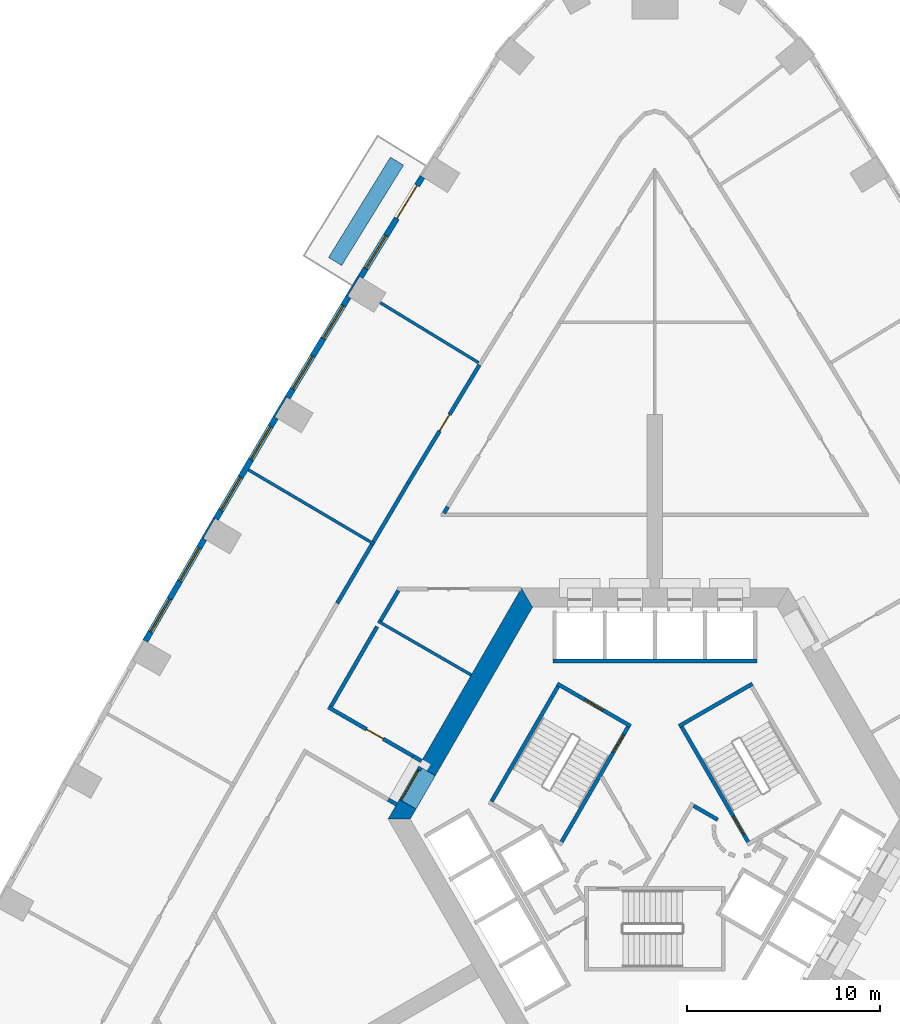
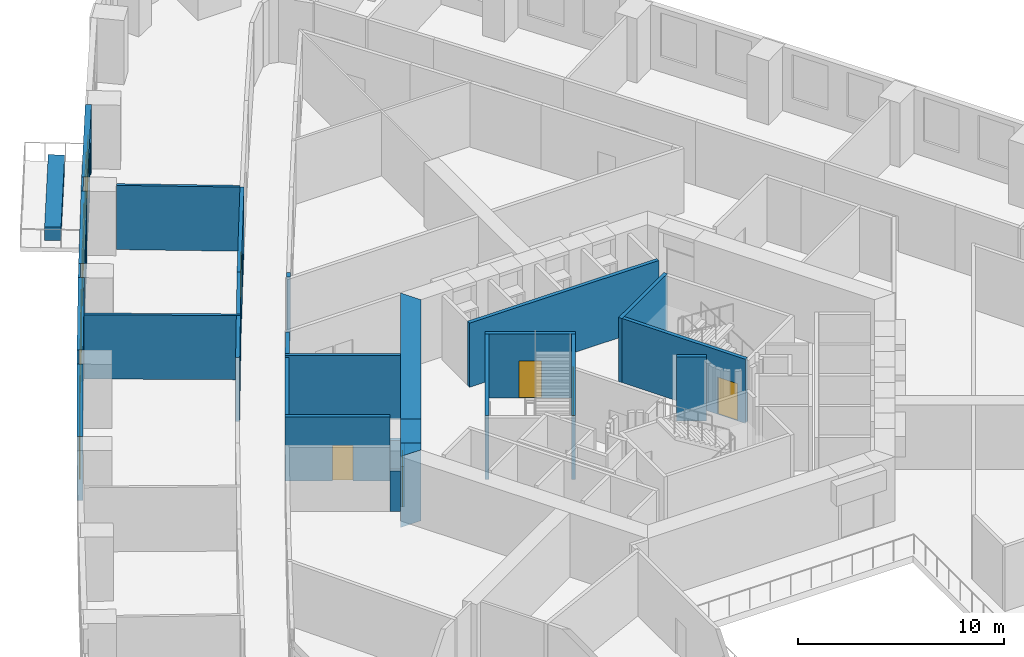
# One storey, part 8 of 15: 31 walls, 7 doors, 7 windows, 14 openings.
"""IFC4 building model written with IfcOpenShell, lengths in metres."""

from ifc_helpers import new_model, si_unit, direction, frame, frame_2d, origin, place, context, subcontext, project, spatial, polyline, rectangle, outline, extrude, material, layer, layer_set, type_object, element, fill, save


model = new_model("IFC4")

# Units and contexts
model_context = context("Model", 3, precision=1e-05, world=origin(), true_north=direction((0.0, 1.0)))
body_context = subcontext(model_context, "Body", "Model", "MODEL_VIEW")
ifc_project = project(units=[si_unit("LENGTHUNIT", "METRE"), si_unit("AREAUNIT", "SQUARE_METRE"), si_unit("VOLUMEUNIT", "CUBIC_METRE"), si_unit("PLANEANGLEUNIT", "RADIAN"), si_unit("MASSUNIT", "GRAM", prefix="KILO")], contexts=[model_context])

# Site, building, storey
site_placement = place(None, origin())
site = spatial("IfcSite", under=ifc_project, at=site_placement, CompositionType="ELEMENT")
building_placement = place(site_placement, origin())
building = spatial("IfcBuilding", under=site, at=building_placement, Name="Entoto Arch Interchange Tower", CompositionType="ELEMENT")
storey_placement = place(building_placement, frame((0.0, 0.0, 56.0)))
storey = spatial("IfcBuildingStorey", under=building, at=storey_placement, Name="L11", CompositionType="ELEMENT", Elevation=56.0)

# Wall, opening, door
ifc_material_1 = material(Name="Reinforced concrete C40/50", Category="concrete")
ifc_layer_1 = layer(ifc_material_1, 0.199951171875)
ifc_layer_set_1 = layer_set([ifc_layer_1], Name="Reinforced concrete C40/50")
wall_type_1 = type_object("IfcWallType", Name="CORE GAP INFILL WALL", PredefinedType="PARTITIONING", material=ifc_layer_set_1)
wall_1_placement = place(storey_placement, frame((-12.179931640625, 5.201904296875, 0.0), z_axis=(0.0, 0.0, 1.0), x_axis=(-0.50002537861, -0.866010750942, 0.0)))
wall_1 = element("IfcWall", 1, at=wall_1_placement, inside=storey, type_object=wall_type_1, Name="wall:L11:gap3", PredefinedType="PARTITIONING", context=body_context, shape_type="SweptSolid", body=[
    extrude(rectangle(XDim=2.0, YDim=0.199951171875, at=frame_2d((1.0, 0.0))), origin(), (0.0, 0.0, 1.0), 2.39990234375),
])
opening_1_placement = place(wall_1_placement, frame((0.18994140625, 0.0, 0.0)))
opening_1 = element("IfcOpeningElement", 2, at=opening_1_placement, cuts=wall_1, Name="Opening L11-D93", PredefinedType="OPENING", context=body_context, shape_type="SweptSolid", body=[
    extrude(rectangle(XDim=1.800048828125, YDim=2.10009765625, at=frame_2d((0.89990234375, 1.050048828125))), frame((0.0, 0.10986328125, 0.0), z_axis=(0.0, -1.0, 0.0), x_axis=(1.0, 0.0, 0.0)), (0.0, 0.0, 1.0), 0.219970703125),
])
ifc_material_2 = material(Name="Fire-rated Steel S235 door and frame", Category="steel")
door_type_1 = type_object("IfcDoorType", Name="DOOR FD-18 1800x2100", OperationType="DOUBLE_DOOR_SINGLE_SWING", PredefinedType="DOOR", material=ifc_material_2)
door_1_placement = place(opening_1_placement, origin())
door_1 = element("IfcDoor", 3, at=door_1_placement, inside=storey, type_object=door_type_1, Name="door:L11:gap3", OperationType="DOUBLE_DOOR_SINGLE_SWING", OverallHeight=2.10009765625, OverallWidth=1.800048828125, PredefinedType="DOOR", context=body_context, shape_type="SweptSolid", body=[
    extrude(rectangle(XDim=1.800048828125, YDim=2.10009765625, at=frame_2d((0.89990234375, 1.050048828125))), frame((0.0, 0.02490234375, 0.0), z_axis=(0.0, -1.0, 0.0), x_axis=(1.0, 0.0, 0.0)), (0.0, 0.0, 1.0), 0.050048828125),
])
fill(opening_1, door_1)

# Walls
ifc_material_3 = material(Name="Concrete C60/75", Category="concrete")
ifc_layer_2 = layer(ifc_material_3, 1.0)
ifc_layer_set_2 = layer_set([ifc_layer_2], Name="Concrete C60/75")
wall_type_2 = type_object("IfcWallType", Name="Core wall 1000 C60/75", PredefinedType="SHEAR", material=ifc_layer_set_2)
wall_2_placement = place(storey_placement, frame((0.0, 0.0, -0.39990234375)))
element("IfcWall", 4, at=wall_2_placement, inside=storey, type_object=wall_type_2, Name="Core wall NW L11", PredefinedType="SHEAR", context=body_context, shape_type="SweptSolid", body=[
    extrude(outline(polyline([(-12.26708984375, 5.251953125), (-11.402099609375, 4.751953125), (-6.35107421875, 13.5), (-6.927978515625, 14.5), (-12.26708984375, 5.251953125)])), origin(), (0.0, 0.0, 1.0), 4.199951171875),
])
wall_3_placement = place(storey_placement, frame((0.0, 0.0, -0.39990234375)))
element("IfcWall", 5, at=wall_3_placement, inside=storey, type_object=wall_type_2, Name="Core wall NW L11", PredefinedType="SHEAR", context=body_context, shape_type="SweptSolid", body=[
    extrude(outline(polyline([(-12.402099609375, 3.02001953125), (-13.26708984375, 3.52001953125), (-13.85595703125, 2.5), (-12.701904296875, 2.5), (-12.402099609375, 3.02001953125)])), origin(), (0.0, 0.0, 1.0), 4.199951171875),
])
wall_4_placement = place(storey_placement, frame((0.0, 0.0, 3.60009765625)))
element("IfcWall", 6, at=wall_4_placement, inside=storey, type_object=wall_type_2, Name="Core wall lintel NW L11", PredefinedType="SHEAR", context=body_context, shape_type="SweptSolid", body=[
    extrude(outline(polyline([(-13.26708984375, 3.52001953125), (-12.402099609375, 3.02001953125), (-11.402099609375, 4.751953125), (-12.26708984375, 5.251953125), (-13.26708984375, 3.52001953125)])), origin(), (0.0, 0.0, 1.0), 0.199951171875),
])
ifc_material_4 = material(Name="Concrete C40/50", Category="concrete")
ifc_layer_3 = layer(ifc_material_4, 0.199951171875)
ifc_layer_set_3 = layer_set([ifc_layer_3], Name="Concrete C40/50")
wall_type_3 = type_object("IfcWallType", Name="LIFT SHAFT WALL 200", PredefinedType="STANDARD", material=ifc_layer_set_3)
wall_5_placement = place(storey_placement, frame((5.300048828125, 10.699951171875, 0.0), z_axis=(0.0, 0.0, 1.0), x_axis=(-1.0, 0.0, 0.0)))
element("IfcWall", 7, at=wall_5_placement, inside=storey, type_object=wall_type_3, Name="Shaft wall N3 front", PredefinedType="STANDARD", context=body_context, shape_type="SweptSolid", body=[
    extrude(rectangle(XDim=10.60009765625, YDim=0.199951171875, at=frame_2d((5.300048828125, 0.0))), origin(), (0.0, 0.0, 1.0), 3.800048828125),
])
ifc_material_5 = material(Name="Gypsum board partition on steel studs", Category="steel")
ifc_layer_4 = layer(ifc_material_5, 0.14990234375)
ifc_layer_set_4 = layer_set([ifc_layer_4], Name="Gypsum board partition on steel studs")
wall_type_4 = type_object("IfcWallType", Name="PARTITION 150", PredefinedType="PARTITIONING", material=ifc_layer_set_4)
wall_6_placement = place(storey_placement, frame((-14.376953125, 12.77490234375, 0.0), z_axis=(0.0, 0.0, 1.0), x_axis=(0.866051730117, -0.499954398681, 0.0)))
element("IfcWall", 8, at=wall_6_placement, inside=storey, type_object=wall_type_4, Name="wall:L11:p090", PredefinedType="PARTITIONING", context=body_context, shape_type="SweptSolid", body=[
    extrude(rectangle(XDim=5.58837890625, YDim=0.14990234375, at=frame_2d((2.794189453125, 0.0))), origin(), (0.0, 0.0, 1.0), 3.800048828125),
])
wall_7_placement = place(storey_placement, frame((-9.156005859375, 26.200927734375, 0.0), z_axis=(0.0, 0.0, 1.0), x_axis=(-0.853632819511, 0.520875234057, 0.0)))
element("IfcWall", 9, at=wall_7_placement, inside=storey, type_object=wall_type_4, Name="wall:L11:p140", PredefinedType="PARTITIONING", context=body_context, shape_type="SweptSolid", body=[
    extrude(rectangle(XDim=5.980224609375, YDim=0.14990234375, at=frame_2d((2.990234375, 0.0))), origin(), (0.0, 0.0, 1.0), 3.800048828125),
])
wall_8_placement = place(storey_placement, frame((-14.570068359375, 16.77587890625, 0.0), z_axis=(0.0, 0.0, 1.0), x_axis=(-0.861124703857, 0.508393788718, 0.0)))
element("IfcWall", 10, at=wall_8_placement, inside=storey, type_object=wall_type_4, Name="wall:L11:p141", PredefinedType="PARTITIONING", context=body_context, shape_type="SweptSolid", body=[
    extrude(rectangle(XDim=7.600341796875, YDim=0.14990234375, at=frame_2d((3.80029296875, 0.0))), origin(), (0.0, 0.0, 1.0), 3.800048828125),
])
ifc_layer_5 = layer(ifc_material_5, 0.199951171875)
ifc_layer_set_5 = layer_set([ifc_layer_5], Name="Gypsum board partition on steel studs")
wall_type_5 = type_object("IfcWallType", Name="PARTITION 200", PredefinedType="PARTITIONING", material=ifc_layer_set_5)
wall_9_placement = place(storey_placement, frame((-14.425048828125, 12.4970703125, 0.0), z_axis=(0.0, 0.0, 1.0), x_axis=(-0.500026519606, -0.866010092142, 0.0)))
element("IfcWall", 11, at=wall_9_placement, inside=storey, type_object=wall_type_5, Name="wall:L11:p001", PredefinedType="PARTITIONING", context=body_context, shape_type="SweptSolid", body=[
    extrude(rectangle(XDim=4.795654296875, YDim=0.199951171875, at=frame_2d((2.39794921875, 0.0))), origin(), (0.0, 0.0, 1.0), 3.800048828125),
])

# Wall, opening, door
wall_10_placement = place(storey_placement, frame((-16.9599609375, 8.30810546875, 0.0), z_axis=(0.0, 0.0, 1.0), x_axis=(0.866018717003, -0.500011581666, 0.0)))
wall_10 = element("IfcWall", 12, at=wall_10_placement, inside=storey, type_object=wall_type_5, Name="wall:L11:p002", PredefinedType="PARTITIONING", context=body_context, shape_type="SweptSolid", body=[
    extrude(rectangle(XDim=5.09228515625, YDim=0.199951171875, at=frame_2d((2.546142578125, 0.0))), origin(), (0.0, 0.0, 1.0), 3.800048828125),
])
opening_2_placement = place(wall_10_placement, frame((2.2958984375, 0.0, 0.0)))
opening_2 = element("IfcOpeningElement", 13, at=opening_2_placement, cuts=wall_10, Name="Opening L11-D27", PredefinedType="OPENING", context=body_context, shape_type="SweptSolid", body=[
    extrude(rectangle(XDim=1.0, YDim=2.10009765625, at=frame_2d((0.5, 1.050048828125))), frame((0.0, 0.10986328125, 0.0), z_axis=(0.0, -1.0, 0.0), x_axis=(1.0, 0.0, 0.0)), (0.0, 0.0, 1.0), 0.219970703125),
])
ifc_material_6 = material(Name="Timber door leaf in Steel S235 frame", Category="steel")
door_type_2 = type_object("IfcDoorType", Name="DOOR DS-10 1000x2100", OperationType="SINGLE_SWING_LEFT", PredefinedType="DOOR", material=ifc_material_6)
door_2_placement = place(opening_2_placement, origin())
door_2 = element("IfcDoor", 14, at=door_2_placement, inside=storey, type_object=door_type_2, Name="door:L11:27", OperationType="SINGLE_SWING_LEFT", OverallHeight=2.10009765625, OverallWidth=1.0, PredefinedType="DOOR", context=body_context, shape_type="SweptSolid", body=[
    extrude(rectangle(XDim=1.0, YDim=2.10009765625, at=frame_2d((0.5, 1.050048828125))), frame((0.0, 0.02490234375, 0.0), z_axis=(0.0, -1.0, 0.0), x_axis=(1.0, 0.0, 0.0)), (0.0, 0.0, 1.0), 0.050048828125),
])
fill(opening_2, door_2)

# Walls
wall_11_placement = place(storey_placement, frame((-13.322998046875, 14.364013671875, 0.0), z_axis=(0.0, 0.0, 1.0), x_axis=(-0.508274698505, -0.861195001646, 0.0)))
element("IfcWall", 15, at=wall_11_placement, inside=storey, type_object=wall_type_5, Name="wall:L11:p003", PredefinedType="PARTITIONING", context=body_context, shape_type="SweptSolid", body=[
    extrude(rectangle(XDim=1.82763671875, YDim=0.199951171875, at=frame_2d((0.913818359375, 0.0))), origin(), (0.0, 0.0, 1.0), 3.800048828125),
])
wall_12_placement = place(storey_placement, frame((-10.75390625, 18.716064453125, 0.0), z_axis=(0.0, 0.0, 1.0), x_axis=(-0.506880801681, -0.862016155815, 0.0)))
element("IfcWall", 16, at=wall_12_placement, inside=storey, type_object=wall_type_5, Name="wall:L11:p013", PredefinedType="PARTITIONING", context=body_context, shape_type="SweptSolid", body=[
    extrude(rectangle(XDim=0.3828125, YDim=0.199951171875, at=frame_2d((0.19140625, 0.0))), origin(), (0.0, 0.0, 1.0), 3.800048828125),
])
wall_13_placement = place(storey_placement, frame((-13.4169921875, 3.260009765625, 0.0), z_axis=(0.0, 0.0, 1.0), x_axis=(-0.866071776036, 0.499919672301, 0.0)))
element("IfcWall", 17, at=wall_13_placement, inside=storey, type_object=wall_type_5, Name="wall:L11:p025", PredefinedType="PARTITIONING", context=body_context, shape_type="SweptSolid", body=[
    extrude(rectangle(XDim=0.5, YDim=0.199951171875, at=frame_2d((0.25, 0.0))), origin(), (0.0, 0.0, 1.0), 2.39990234375),
])
wall_14_placement = place(storey_placement, frame((-14.617919921875, 16.89111328125, 0.0), z_axis=(0.0, 0.0, 1.0), x_axis=(0.508267810274, 0.861199067022, 0.0)))
element("IfcWall", 18, at=wall_14_placement, inside=storey, type_object=wall_type_5, Name="wall:L11:p062", PredefinedType="PARTITIONING", context=body_context, shape_type="SweptSolid", body=[
    extrude(rectangle(XDim=3.54736328125, YDim=0.199951171875, at=frame_2d((1.773681640625, 0.0))), origin(), (0.0, 0.0, 1.0), 3.800048828125),
])

# Wall, opening, door
wall_15_placement = place(storey_placement, frame((-12.81494140625, 19.946044921875, 0.0), z_axis=(0.0, 0.0, 1.0), x_axis=(0.516822021522, 0.856092867667, 0.0)))
wall_15 = element("IfcWall", 19, at=wall_15_placement, inside=storey, type_object=wall_type_5, Name="wall:L11:p063", PredefinedType="PARTITIONING", context=body_context, shape_type="SweptSolid", body=[
    extrude(rectangle(XDim=7.1708984375, YDim=0.199951171875, at=frame_2d((3.58544921875, 0.0))), origin(), (0.0, 0.0, 1.0), 3.800048828125),
])
opening_3_placement = place(wall_15_placement, frame((3.159912109375, 0.0, 0.0)))
opening_3 = element("IfcOpeningElement", 20, at=opening_3_placement, cuts=wall_15, Name="Opening L11-D10", PredefinedType="OPENING", context=body_context, shape_type="SweptSolid", body=[
    extrude(rectangle(XDim=1.0, YDim=2.10009765625, at=frame_2d((0.5, 1.050048828125))), frame((0.0, 0.10986328125, 0.0), z_axis=(0.0, -1.0, 0.0), x_axis=(1.0, 0.0, 0.0)), (0.0, 0.0, 1.0), 0.219970703125),
])
door_3_placement = place(opening_3_placement, origin())
door_3 = element("IfcDoor", 21, at=door_3_placement, inside=storey, type_object=door_type_2, Name="door:L11:10", OperationType="SINGLE_SWING_LEFT", OverallHeight=2.10009765625, OverallWidth=1.0, PredefinedType="DOOR", context=body_context, shape_type="SweptSolid", body=[
    extrude(rectangle(XDim=1.0, YDim=2.10009765625, at=frame_2d((0.5, 1.050048828125))), frame((0.0, 0.02490234375, 0.0), z_axis=(0.0, -1.0, 0.0), x_axis=(1.0, 0.0, 0.0)), (0.0, 0.0, 1.0), 0.050048828125),
])
fill(opening_3, door_3)

# Walls
wall_16_placement = place(storey_placement, frame((-16.498046875, 13.70703125, 0.0), z_axis=(0.0, 0.0, 1.0), x_axis=(0.508471945541, 0.861078556578, 0.0)))
element("IfcWall", 22, at=wall_16_placement, inside=storey, type_object=wall_type_5, Name="wall:L11:p066", PredefinedType="PARTITIONING", context=body_context, shape_type="SweptSolid", body=[
    extrude(rectangle(XDim=3.5478515625, YDim=0.199951171875, at=frame_2d((1.77392578125, 0.0))), origin(), (0.0, 0.0, 1.0), 3.800048828125),
])
wall_17_placement = place(storey_placement, frame((2.011962890625, 3.18603515625, 0.0), z_axis=(0.0, 0.0, 1.0), x_axis=(0.865891012941, -0.500232699559, 0.0)))
element("IfcWall", 23, at=wall_17_placement, inside=storey, type_object=wall_type_5, Name="wall:L11:p095", PredefinedType="PARTITIONING", context=body_context, shape_type="SweptSolid", body=[
    extrude(rectangle(XDim=1.449462890625, YDim=0.199951171875, at=frame_2d((0.724609375, 0.0))), origin(), (0.0, 0.0, 1.0), 3.800048828125),
])
wall_18_placement = place(storey_placement, frame((-12.550048828125, 5.761962890625, 0.0), z_axis=(0.0, 0.0, 1.0), x_axis=(0.866071776036, -0.499919672301, 0.0)))
element("IfcWall", 24, at=wall_18_placement, inside=storey, type_object=wall_type_5, Name="wall:L11:p002", PredefinedType="PARTITIONING", context=body_context, shape_type="SweptSolid", body=[
    extrude(rectangle(XDim=0.5, YDim=0.199951171875, at=frame_2d((0.25, 0.0))), origin(), (0.0, 0.0, 1.0), 2.39990234375),
])
ifc_material_7 = material(Name="Board-marked precast concrete C50/60", Category="concrete")
ifc_layer_6 = layer(ifc_material_7, 0.800048828125)
ifc_layer_set_6 = layer_set([ifc_layer_6], Name="Board-marked precast concrete C50/60")
wall_type_6 = type_object("IfcWallType", Name="PLANTER RC 800 Juniperus procera", PredefinedType="STANDARD", material=ifc_layer_set_6)
wall_19_placement = place(storey_placement, frame((-13.39306640625, 36.666015625, 0.0), z_axis=(0.0, 0.0, 1.0), x_axis=(-0.52504092683, -0.85107697957, 0.0)))
element("IfcWall", 25, at=wall_19_placement, inside=storey, type_object=wall_type_6, Name="Planter NW-02 L11", PredefinedType="STANDARD", context=body_context, shape_type="SweptSolid", body=[
    extrude(rectangle(XDim=6.119384765625, YDim=0.800048828125, at=frame_2d((3.0595703125, 0.0))), origin(), (0.0, 0.0, 1.0), 0.800048828125),
])
ifc_layer_7 = layer(ifc_material_4, 0.199951171875)
ifc_layer_set_7 = layer_set([ifc_layer_7], Name="Concrete C40/50")
wall_type_7 = type_object("IfcWallType", Name="STAIR ENCLOSURE WALL 200", PredefinedType="STANDARD", material=ifc_layer_set_7)
wall_20_placement = place(storey_placement, frame((1.256103515625, 7.323974609375, 0.0), z_axis=(0.0, 0.0, 1.0), x_axis=(0.866046073146, 0.499964197906, 0.0)))
element("IfcWall", 26, at=wall_20_placement, inside=storey, type_object=wall_type_7, Name="Stair wall ST-NE far", PredefinedType="STANDARD", context=body_context, shape_type="SweptSolid", body=[
    extrude(rectangle(XDim=4.400146484375, YDim=0.199951171875, at=frame_2d((2.2001953125, 0.0))), origin(), (0.0, 0.0, 1.0), 3.800048828125),
])

# Wall, opening, door
wall_21_placement = place(storey_placement, frame((4.843017578125, 1.31201171875, 0.0), z_axis=(0.0, 0.0, 1.0), x_axis=(-0.499963383562, 0.866046543262, 0.0)))
wall_21 = element("IfcWall", 27, at=wall_21_placement, inside=storey, type_object=wall_type_7, Name="Stair wall ST-NE hall", PredefinedType="STANDARD", context=body_context, shape_type="SweptSolid", body=[
    extrude(rectangle(XDim=6.900390625, YDim=0.199951171875, at=frame_2d((3.4501953125, 0.0))), origin(), (0.0, 0.0, 1.0), 3.800048828125),
])
opening_4_placement = place(wall_21_placement, frame((0.449951171875, 0.0, 0.0)))
opening_4 = element("IfcOpeningElement", 28, at=opening_4_placement, cuts=wall_21, Name="Opening SD-ST-NE-L11", PredefinedType="OPENING", context=body_context, shape_type="SweptSolid", body=[
    extrude(rectangle(XDim=1.10009765625, YDim=2.199951171875, at=frame_2d((0.550048828125, 1.10009765625))), frame((0.0, 0.10986328125, 0.0), z_axis=(0.0, -1.0, 0.0), x_axis=(1.0, 0.0, 0.0)), (0.0, 0.0, 1.0), 0.219970703125),
])
ifc_material_8 = material(Name="Steel S235", Category="steel")
door_type_3 = type_object("IfcDoorType", Name="STAIR DOOR SD1 1100x2200", OperationType="SINGLE_SWING_LEFT", PredefinedType="DOOR", material=ifc_material_8)
door_4_placement = place(opening_4_placement, origin())
door_4 = element("IfcDoor", 29, at=door_4_placement, inside=storey, type_object=door_type_3, Name="Stair door ST-NE L11", OperationType="SINGLE_SWING_LEFT", OverallHeight=2.199951171875, OverallWidth=1.10009765625, PredefinedType="DOOR", context=body_context, shape_type="SweptSolid", body=[
    extrude(rectangle(XDim=1.10009765625, YDim=2.199951171875, at=frame_2d((0.550048828125, 1.10009765625))), frame((0.0, 0.02490234375, 0.0), z_axis=(0.0, -1.0, 0.0), x_axis=(1.0, 0.0, 0.0)), (0.0, 0.0, 1.0), 0.050048828125),
])
fill(opening_4, door_4)

wall_22_placement = place(storey_placement, frame((-1.256103515625, 7.323974609375, 0.0), z_axis=(0.0, 0.0, 1.0), x_axis=(-0.866046073146, 0.499964197906, 0.0)))
wall_22 = element("IfcWall", 30, at=wall_22_placement, inside=storey, type_object=wall_type_7, Name="Stair wall ST-NW near", PredefinedType="STANDARD", context=body_context, shape_type="SweptSolid", body=[
    extrude(rectangle(XDim=4.400146484375, YDim=0.199951171875, at=frame_2d((2.2001953125, 0.0))), origin(), (0.0, 0.0, 1.0), 3.800048828125),
])
opening_5_placement = place(wall_22_placement, frame((1.64990234375, 0.0, 0.0)))
opening_5 = element("IfcOpeningElement", 31, at=opening_5_placement, cuts=wall_22, Name="Opening SD-ST-NW-L11-E", PredefinedType="OPENING", context=body_context, shape_type="SweptSolid", body=[
    extrude(rectangle(XDim=1.10009765625, YDim=2.199951171875, at=frame_2d((0.550048828125, 1.10009765625))), frame((0.0, 0.10986328125, 0.0), z_axis=(0.0, -1.0, 0.0), x_axis=(1.0, 0.0, 0.0)), (0.0, 0.0, 1.0), 0.219970703125),
])
door_5_placement = place(opening_5_placement, origin())
door_5 = element("IfcDoor", 32, at=door_5_placement, inside=storey, type_object=door_type_3, Name="Stair door ST-NW L11 end", OperationType="SINGLE_SWING_LEFT", OverallHeight=2.199951171875, OverallWidth=1.10009765625, PredefinedType="DOOR", context=body_context, shape_type="SweptSolid", body=[
    extrude(rectangle(XDim=1.10009765625, YDim=2.199951171875, at=frame_2d((0.550048828125, 1.10009765625))), frame((0.0, 0.02490234375, 0.0), z_axis=(0.0, -1.0, 0.0), x_axis=(1.0, 0.0, 0.0)), (0.0, 0.0, 1.0), 0.050048828125),
])
fill(opening_5, door_5)

wall_23_placement = place(storey_placement, frame((-1.39306640625, 7.2880859375, 0.0), z_axis=(0.0, 0.0, 1.0), x_axis=(-0.499963383562, -0.866046543262, 0.0)))
wall_23 = element("IfcWall", 33, at=wall_23_placement, inside=storey, type_object=wall_type_7, Name="Stair wall ST-NW hall", PredefinedType="STANDARD", context=body_context, shape_type="SweptSolid", body=[
    extrude(rectangle(XDim=6.900390625, YDim=0.199951171875, at=frame_2d((3.4501953125, 0.0))), origin(), (0.0, 0.0, 1.0), 3.800048828125),
])
opening_6_placement = place(wall_23_placement, frame((0.449951171875, 0.0, 0.0)))
opening_6 = element("IfcOpeningElement", 34, at=opening_6_placement, cuts=wall_23, Name="Opening SD-ST-NW-L11", PredefinedType="OPENING", context=body_context, shape_type="SweptSolid", body=[
    extrude(rectangle(XDim=1.10009765625, YDim=2.199951171875, at=frame_2d((0.550048828125, 1.10009765625))), frame((0.0, 0.10986328125, 0.0), z_axis=(0.0, -1.0, 0.0), x_axis=(1.0, 0.0, 0.0)), (0.0, 0.0, 1.0), 0.219970703125),
])
door_6_placement = place(opening_6_placement, origin())
door_6 = element("IfcDoor", 35, at=door_6_placement, inside=storey, type_object=door_type_3, Name="Stair door ST-NW L11", OperationType="SINGLE_SWING_LEFT", OverallHeight=2.199951171875, OverallWidth=1.10009765625, PredefinedType="DOOR", context=body_context, shape_type="SweptSolid", body=[
    extrude(rectangle(XDim=1.10009765625, YDim=2.199951171875, at=frame_2d((0.550048828125, 1.10009765625))), frame((0.0, 0.02490234375, 0.0), z_axis=(0.0, -1.0, 0.0), x_axis=(1.0, 0.0, 0.0)), (0.0, 0.0, 1.0), 0.050048828125),
])
fill(opening_6, door_6)

# Wall
wall_24_placement = place(storey_placement, frame((-5.030029296875, 9.387939453125, 0.0), z_axis=(0.0, 0.0, 1.0), x_axis=(-0.499978703459, -0.866037698999, 0.0)))
element("IfcWall", 36, at=wall_24_placement, inside=storey, type_object=wall_type_7, Name="Stair wall ST-NW back", PredefinedType="STANDARD", context=body_context, shape_type="SweptSolid", body=[
    extrude(rectangle(XDim=6.900146484375, YDim=0.199951171875, at=frame_2d((3.4501953125, 0.0))), origin(), (0.0, 0.0, 1.0), 3.800048828125),
])

# Wall, openings, door, window
ifc_material_9 = material(Name="Welded tuff (ignimbrite) cladding, warm buff", Category="masonry")
ifc_layer_8 = layer(ifc_material_9, 0.300048828125)
ifc_layer_set_8 = layer_set([ifc_layer_8], Name="Welded tuff (ignimbrite) cladding, warm buff")
wall_type_8 = type_object("IfcWallType", Name="STONE INFILL WALL 300", PredefinedType="STANDARD", material=ifc_layer_set_8)
wall_25_placement = place(storey_placement, frame((-12.072998046875, 35.85302734375, 0.0), z_axis=(0.0, 0.0, 1.0), x_axis=(-0.525114088226, -0.851031840971, 0.0)))
wall_25 = element("IfcWall", 37, at=wall_25_placement, inside=storey, type_object=wall_type_8, Name="Facade wall NW-02 L11", PredefinedType="STANDARD", context=body_context, shape_type="SweptSolid", body=[
    extrude(rectangle(XDim=6.120849609375, YDim=0.300048828125, at=frame_2d((3.060546875, 0.0))), origin(), (0.0, 0.0, 1.0), 3.800048828125),
])
opening_7_placement = place(wall_25_placement, frame((0.530029296875, 0.0, 0.0)))
opening_7 = element("IfcOpeningElement", 38, at=opening_7_placement, cuts=wall_25, Name="Opening DB-NW-02-L11", PredefinedType="OPENING", context=body_context, shape_type="SweptSolid", body=[
    extrude(rectangle(XDim=2.0, YDim=2.39990234375, at=frame_2d((1.0, 1.199951171875))), frame((0.0, 0.16015625, 0.0), z_axis=(0.0, -1.0, 0.0), x_axis=(1.0, 0.0, 0.0)), (0.0, 0.0, 1.0), 0.320068359375),
])
opening_8_placement = place(wall_25_placement, frame((3.591064453125, 0.0, 0.89990234375)))
opening_8 = element("IfcOpeningElement", 39, at=opening_8_placement, cuts=wall_25, Name="Opening WO-C", PredefinedType="OPENING", context=body_context, shape_type="SweptSolid", body=[
    extrude(rectangle(XDim=2.0, YDim=2.60009765625, at=frame_2d((1.0, 1.300048828125))), frame((0.0, 0.16015625, 0.0), z_axis=(0.0, -1.0, 0.0), x_axis=(1.0, 0.0, 0.0)), (0.0, 0.0, 1.0), 0.320068359375),
])
ifc_material_10 = material(Name="Aluminium and clear glass, anodised", Category="aluminium")
door_type_4 = type_object("IfcDoorType", Name="BALCONY DOOR DB 2000x2400", OperationType="SLIDING_TO_LEFT", PredefinedType="DOOR", material=ifc_material_10)
door_7_placement = place(opening_7_placement, origin())
door_7 = element("IfcDoor", 40, at=door_7_placement, inside=storey, type_object=door_type_4, Name="Balcony door NW-02 L11", OperationType="SLIDING_TO_LEFT", OverallHeight=2.39990234375, OverallWidth=2.0, PredefinedType="DOOR", context=body_context, shape_type="SweptSolid", body=[
    extrude(rectangle(XDim=2.0, YDim=2.39990234375, at=frame_2d((1.0, 1.199951171875))), frame((0.0, 0.02490234375, 0.0), z_axis=(0.0, -1.0, 0.0), x_axis=(1.0, 0.0, 0.0)), (0.0, 0.0, 1.0), 0.050048828125),
])
fill(opening_7, door_7)
ifc_material_11 = material(Name="Clear glass, low-e double glazed", Category="glass")
window_type = type_object("IfcWindowType", Name="WINDOW WO-C 2000x2600", PartitioningType="DOUBLE_PANEL_VERTICAL", PredefinedType="WINDOW", material=ifc_material_11)
window_1_placement = place(opening_8_placement, origin())
window_1 = element("IfcWindow", 41, at=window_1_placement, inside=storey, type_object=window_type, Name="Window WO-C NW-02 L11", OverallHeight=2.60009765625, OverallWidth=2.0, PartitioningType="SINGLE_PANEL", PredefinedType="WINDOW", context=body_context, shape_type="SweptSolid", body=[
    extrude(rectangle(XDim=2.0, YDim=2.60009765625, at=frame_2d((1.0, 1.300048828125))), frame((0.0, 0.030029296875, 0.0), z_axis=(0.0, -1.0, 0.0), x_axis=(1.0, 0.0, 0.0)), (0.0, 0.0, 1.0), 0.06005859375),
])
fill(opening_8, window_1)

# Wall, openings, windows
wall_26_placement = place(storey_placement, frame((-15.910888671875, 29.62109375, 0.0), z_axis=(0.0, 0.0, 1.0), x_axis=(-0.516699243123, -0.856166976796, 0.0)))
wall_26 = element("IfcWall", 42, at=wall_26_placement, inside=storey, type_object=wall_type_8, Name="Facade wall NW-03 L11", PredefinedType="STANDARD", context=body_context, shape_type="SweptSolid", body=[
    extrude(rectangle(XDim=6.121826171875, YDim=0.300048828125, at=frame_2d((3.06103515625, 0.0))), origin(), (0.0, 0.0, 1.0), 3.800048828125),
])
opening_9_placement = place(wall_26_placement, frame((0.530029296875, 0.0, 0.89990234375)))
opening_9 = element("IfcOpeningElement", 43, at=opening_9_placement, cuts=wall_26, Name="Opening WO-C", PredefinedType="OPENING", context=body_context, shape_type="SweptSolid", body=[
    extrude(rectangle(XDim=2.0, YDim=2.60009765625, at=frame_2d((1.0, 1.300048828125))), frame((0.0, 0.16015625, 0.0), z_axis=(0.0, -1.0, 0.0), x_axis=(1.0, 0.0, 0.0)), (0.0, 0.0, 1.0), 0.320068359375),
])
opening_10_placement = place(wall_26_placement, frame((3.591064453125, 0.0, 0.89990234375)))
opening_10 = element("IfcOpeningElement", 44, at=opening_10_placement, cuts=wall_26, Name="Opening WO-C", PredefinedType="OPENING", context=body_context, shape_type="SweptSolid", body=[
    extrude(rectangle(XDim=2.0, YDim=2.60009765625, at=frame_2d((1.0, 1.300048828125))), frame((0.0, 0.16015625, 0.0), z_axis=(0.0, -1.0, 0.0), x_axis=(1.0, 0.0, 0.0)), (0.0, 0.0, 1.0), 0.320068359375),
])
window_2_placement = place(opening_9_placement, origin())
window_2 = element("IfcWindow", 45, at=window_2_placement, inside=storey, type_object=window_type, Name="Window WO-C NW-03 L11", OverallHeight=2.60009765625, OverallWidth=2.0, PartitioningType="SINGLE_PANEL", PredefinedType="WINDOW", context=body_context, shape_type="SweptSolid", body=[
    extrude(rectangle(XDim=2.0, YDim=2.60009765625, at=frame_2d((1.0, 1.300048828125))), frame((0.0, 0.030029296875, 0.0), z_axis=(0.0, -1.0, 0.0), x_axis=(1.0, 0.0, 0.0)), (0.0, 0.0, 1.0), 0.06005859375),
])
fill(opening_9, window_2)
window_3_placement = place(opening_10_placement, origin())
window_3 = element("IfcWindow", 46, at=window_3_placement, inside=storey, type_object=window_type, Name="Window WO-C NW-03 L11", OverallHeight=2.60009765625, OverallWidth=2.0, PartitioningType="SINGLE_PANEL", PredefinedType="WINDOW", context=body_context, shape_type="SweptSolid", body=[
    extrude(rectangle(XDim=2.0, YDim=2.60009765625, at=frame_2d((1.0, 1.300048828125))), frame((0.0, 0.030029296875, 0.0), z_axis=(0.0, -1.0, 0.0), x_axis=(1.0, 0.0, 0.0)), (0.0, 0.0, 1.0), 0.06005859375),
])
fill(opening_10, window_3)

wall_27_placement = place(storey_placement, frame((-19.68798828125, 23.35107421875, 0.0), z_axis=(0.0, 0.0, 1.0), x_axis=(-0.508412153373, -0.861113861404, 0.0)))
wall_27 = element("IfcWall", 47, at=wall_27_placement, inside=storey, type_object=wall_type_8, Name="Facade wall NW-04 L11", PredefinedType="STANDARD", context=body_context, shape_type="SweptSolid", body=[
    extrude(rectangle(XDim=6.12109375, YDim=0.300048828125, at=frame_2d((3.060546875, 0.0))), origin(), (0.0, 0.0, 1.0), 3.800048828125),
])
opening_11_placement = place(wall_27_placement, frame((0.530029296875, 0.0, 0.89990234375)))
opening_11 = element("IfcOpeningElement", 48, at=opening_11_placement, cuts=wall_27, Name="Opening WO-C", PredefinedType="OPENING", context=body_context, shape_type="SweptSolid", body=[
    extrude(rectangle(XDim=2.0, YDim=2.60009765625, at=frame_2d((1.0, 1.300048828125))), frame((0.0, 0.16015625, 0.0), z_axis=(0.0, -1.0, 0.0), x_axis=(1.0, 0.0, 0.0)), (0.0, 0.0, 1.0), 0.320068359375),
])
opening_12_placement = place(wall_27_placement, frame((3.591064453125, 0.0, 0.89990234375)))
opening_12 = element("IfcOpeningElement", 49, at=opening_12_placement, cuts=wall_27, Name="Opening WO-C", PredefinedType="OPENING", context=body_context, shape_type="SweptSolid", body=[
    extrude(rectangle(XDim=2.0, YDim=2.60009765625, at=frame_2d((1.0, 1.300048828125))), frame((0.0, 0.16015625, 0.0), z_axis=(0.0, -1.0, 0.0), x_axis=(1.0, 0.0, 0.0)), (0.0, 0.0, 1.0), 0.320068359375),
])
window_4_placement = place(opening_11_placement, origin())
window_4 = element("IfcWindow", 50, at=window_4_placement, inside=storey, type_object=window_type, Name="Window WO-C NW-04 L11", OverallHeight=2.60009765625, OverallWidth=2.0, PartitioningType="SINGLE_PANEL", PredefinedType="WINDOW", context=body_context, shape_type="SweptSolid", body=[
    extrude(rectangle(XDim=2.0, YDim=2.60009765625, at=frame_2d((1.0, 1.300048828125))), frame((0.0, 0.030029296875, 0.0), z_axis=(0.0, -1.0, 0.0), x_axis=(1.0, 0.0, 0.0)), (0.0, 0.0, 1.0), 0.06005859375),
])
fill(opening_11, window_4)
window_5_placement = place(opening_12_placement, origin())
window_5 = element("IfcWindow", 51, at=window_5_placement, inside=storey, type_object=window_type, Name="Window WO-C NW-04 L11", OverallHeight=2.60009765625, OverallWidth=2.0, PartitioningType="SINGLE_PANEL", PredefinedType="WINDOW", context=body_context, shape_type="SweptSolid", body=[
    extrude(rectangle(XDim=2.0, YDim=2.60009765625, at=frame_2d((1.0, 1.300048828125))), frame((0.0, 0.030029296875, 0.0), z_axis=(0.0, -1.0, 0.0), x_axis=(1.0, 0.0, 0.0)), (0.0, 0.0, 1.0), 0.06005859375),
])
fill(opening_12, window_5)

wall_28_placement = place(storey_placement, frame((-23.404052734375, 17.0458984375, 0.0), z_axis=(0.0, 0.0, 1.0), x_axis=(-0.499957248001, -0.866050085256, 0.0)))
wall_28 = element("IfcWall", 52, at=wall_28_placement, inside=storey, type_object=wall_type_8, Name="Facade wall NW-05 L11", PredefinedType="STANDARD", context=body_context, shape_type="SweptSolid", body=[
    extrude(rectangle(XDim=6.12060546875, YDim=0.300048828125, at=frame_2d((3.060302734375, 0.0))), origin(), (0.0, 0.0, 1.0), 3.800048828125),
])
opening_13_placement = place(wall_28_placement, frame((0.530029296875, 0.0, 0.89990234375)))
opening_13 = element("IfcOpeningElement", 53, at=opening_13_placement, cuts=wall_28, Name="Opening WO-C", PredefinedType="OPENING", context=body_context, shape_type="SweptSolid", body=[
    extrude(rectangle(XDim=2.0, YDim=2.60009765625, at=frame_2d((1.0, 1.300048828125))), frame((0.0, 0.16015625, 0.0), z_axis=(0.0, -1.0, 0.0), x_axis=(1.0, 0.0, 0.0)), (0.0, 0.0, 1.0), 0.320068359375),
])
opening_14_placement = place(wall_28_placement, frame((3.591064453125, 0.0, 0.89990234375)))
opening_14 = element("IfcOpeningElement", 54, at=opening_14_placement, cuts=wall_28, Name="Opening WO-C", PredefinedType="OPENING", context=body_context, shape_type="SweptSolid", body=[
    extrude(rectangle(XDim=2.0, YDim=2.60009765625, at=frame_2d((1.0, 1.300048828125))), frame((0.0, 0.16015625, 0.0), z_axis=(0.0, -1.0, 0.0), x_axis=(1.0, 0.0, 0.0)), (0.0, 0.0, 1.0), 0.320068359375),
])
window_6_placement = place(opening_13_placement, origin())
window_6 = element("IfcWindow", 55, at=window_6_placement, inside=storey, type_object=window_type, Name="Window WO-C NW-05 L11", OverallHeight=2.60009765625, OverallWidth=2.0, PartitioningType="SINGLE_PANEL", PredefinedType="WINDOW", context=body_context, shape_type="SweptSolid", body=[
    extrude(rectangle(XDim=2.0, YDim=2.60009765625, at=frame_2d((1.0, 1.300048828125))), frame((0.0, 0.030029296875, 0.0), z_axis=(0.0, -1.0, 0.0), x_axis=(1.0, 0.0, 0.0)), (0.0, 0.0, 1.0), 0.06005859375),
])
fill(opening_13, window_6)
window_7_placement = place(opening_14_placement, origin())
window_7 = element("IfcWindow", 56, at=window_7_placement, inside=storey, type_object=window_type, Name="Window WO-C NW-05 L11", OverallHeight=2.60009765625, OverallWidth=2.0, PartitioningType="SINGLE_PANEL", PredefinedType="WINDOW", context=body_context, shape_type="SweptSolid", body=[
    extrude(rectangle(XDim=2.0, YDim=2.60009765625, at=frame_2d((1.0, 1.300048828125))), frame((0.0, 0.030029296875, 0.0), z_axis=(0.0, -1.0, 0.0), x_axis=(1.0, 0.0, 0.0)), (0.0, 0.0, 1.0), 0.06005859375),
])
fill(opening_14, window_7)

# Walls
ifc_layer_9 = layer(ifc_material_9, 0.10009765625)
ifc_layer_set_9 = layer_set([ifc_layer_9], Name="Welded tuff (ignimbrite) cladding, warm buff")
wall_type_9 = type_object("IfcWallType", Name="STONE PIER CLADDING 100", PredefinedType="STANDARD", material=ifc_layer_set_9)
for number, where, z_axis, x_axis, name in (
    (57, (-15.373046875, 30.697998046875, 0.0), (0.0, 0.0, 1.0), (-0.521598117945, -0.853191305251, 0.0), "Stone pier NW03 L11"),
    (58, (-19.160888671875, 24.43310546875, 0.0), (0.0, 0.0, 1.0), (-0.513388576555, -0.858156261682, 0.0), "Stone pier NW04 L11"),
):
    element("IfcWall", number, at=place(storey_placement, frame(where, z_axis=z_axis, x_axis=x_axis)), inside=storey, type_object=wall_type_9, Name=name, PredefinedType="STANDARD", context=body_context, shape_type="SweptSolid", body=[
        extrude(rectangle(XDim=1.2001953125, YDim=0.10009765625, at=frame_2d((0.60009765625, 0.0))), origin(), (0.0, 0.0, 1.0), 3.800048828125),
    ])
wall_29_placement = place(storey_placement, frame((-22.887939453125, 18.133056640625, 0.0), z_axis=(0.0, 0.0, 1.0), x_axis=(-0.504225229382, -0.863572184623, 0.0)))
element("IfcWall", 59, at=wall_29_placement, inside=storey, type_object=wall_type_9, Name="Stone pier NW05 L11", PredefinedType="STANDARD", context=body_context, shape_type="SweptSolid", body=[
    extrude(rectangle(XDim=1.19970703125, YDim=0.10009765625, at=frame_2d((0.599853515625, 0.0))), origin(), (0.0, 0.0, 1.0), 3.800048828125),
])

save(model, "model.ifc")
